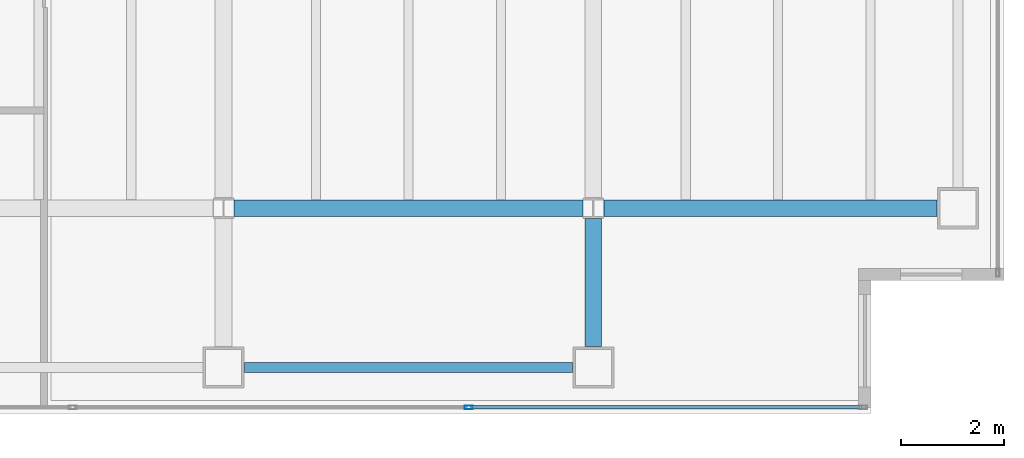
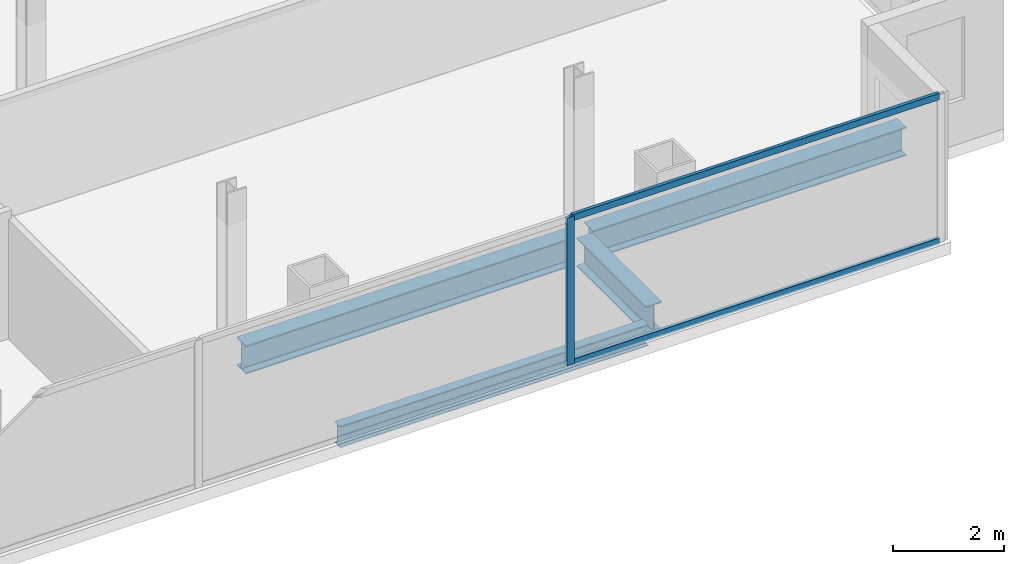
# One storey, part 10 of 23: 4 beams, 3 members, 1 element without a shape of its own.
"""IFC4 building model written with IfcOpenShell, lengths in metres."""

from ifc_helpers import new_model, si_unit, direction, frame, origin, origin_2d, place, context, subcontext, project, spatial, hollow_rectangle, i_section, extrude, material, material_profile, profile_set, type_object, element, aggregate, save


model = new_model("IFC4")

# Units and contexts
model_context = context("Model", 3, precision=1e-05, world=origin(), true_north=direction((0.0, 1.0)))
body_context = subcontext(model_context, "Body", "Model", "MODEL_VIEW")
ifc_project = project(units=[si_unit("LENGTHUNIT", "METRE"), si_unit("AREAUNIT", "SQUARE_METRE"), si_unit("VOLUMEUNIT", "CUBIC_METRE"), si_unit("PLANEANGLEUNIT", "RADIAN"), si_unit("MASSUNIT", "GRAM", prefix="KILO")], contexts=[model_context])

# Site, building, storey
site_placement = place(None, origin())
site = spatial("IfcSite", under=ifc_project, at=site_placement, CompositionType="ELEMENT")
building_placement = place(site_placement, origin())
building = spatial("IfcBuilding", under=site, at=building_placement, Name="Cobrela Telecom Tower", CompositionType="ELEMENT")
storey_placement = place(building_placement, frame((0.0, 0.0, 197.75)))
storey = spatial("IfcBuildingStorey", under=building, at=storey_placement, Name="L50", CompositionType="ELEMENT", Elevation=197.75)

# Beams
ifc_material_1 = material(Name="Steel ASTM A992 Grade 50", Category="steel")
ifc_material_profile_1 = material_profile(ifc_material_1, i_section(OverallWidth=0.327880859375, OverallDepth=0.6220703125, WebThickness=0.015380859375, FlangeThickness=0.0244140625, FilletRadius=0.014892578125, at=origin_2d()), Name="W24X131")
ifc_profile_set_1 = profile_set([ifc_material_profile_1], Name="Steel ASTM A992 Grade 50")
beam_type_1 = type_object("IfcBeamType", Name="BM-GIRD-06", PredefinedType="USERDEFINED", material=ifc_profile_set_1)
beam_1_placement = place(storey_placement, frame((29.00439453125, 7.199951171875, -0.571044921875), z_axis=(1.0, 0.0, 0.0), x_axis=(0.0, 1.0, 0.0)))
element("IfcBeam", 1, at=beam_1_placement, inside=storey, type_object=beam_type_1, Name="L50 Primary Girder X09", ObjectType="GIRDER", PredefinedType="USERDEFINED", context=body_context, shape_type="SweptSolid", body=[
    extrude(i_section(OverallWidth=0.327880859375, OverallDepth=0.6220703125, WebThickness=0.015380859375, FlangeThickness=0.0244140625, FilletRadius=0.014892578125, at=origin_2d()), origin(), (0.0, 0.0, 1.0), 6.791015625),
])
beam_2_placement = place(storey_placement, frame((36.20458984375, 7.199951171875, -0.571044921875), z_axis=(1.0, 0.0, 0.0), x_axis=(0.0, 1.0, 0.0)))
element("IfcBeam", 2, at=beam_2_placement, inside=storey, type_object=beam_type_1, Name="L50 Primary Girder X10", ObjectType="GIRDER", PredefinedType="USERDEFINED", context=body_context, shape_type="SweptSolid", body=[
    extrude(i_section(OverallWidth=0.327880859375, OverallDepth=0.6220703125, WebThickness=0.015380859375, FlangeThickness=0.0244140625, FilletRadius=0.014892578125, at=origin_2d()), origin(), (0.0, 0.0, 1.0), 6.490478515625),
])
beam_3_placement = place(storey_placement, frame((36.0, 4.5048828125, -0.571044921875), z_axis=(0.0, 1.0, 0.0), x_axis=(-1.0, 0.0, 0.0)))
element("IfcBeam", 3, at=beam_3_placement, inside=storey, type_object=beam_type_1, Name="L50 Primary Girder Y39", ObjectType="GIRDER", PredefinedType="USERDEFINED", context=body_context, shape_type="SweptSolid", body=[
    extrude(i_section(OverallWidth=0.327880859375, OverallDepth=0.6220703125, WebThickness=0.015380859375, FlangeThickness=0.0244140625, FilletRadius=0.014892578125, at=origin_2d()), origin(), (0.0, 0.0, 1.0), 2.49072265625),
])
ifc_material_profile_2 = material_profile(ifc_material_1, i_section(OverallWidth=0.193115234375, OverallDepth=0.467041015625, WebThickness=0.011474609375, FlangeThickness=0.01904296875, FilletRadius=0.012939453125, at=origin_2d()), Name="W18X65")
ifc_profile_set_2 = profile_set([ifc_material_profile_2], Name="Steel ASTM A992 Grade 50")
beam_type_2 = type_object("IfcBeamType", Name="BM-SPAND-05", PredefinedType="SPANDREL", material=ifc_profile_set_2)
beam_4_placement = place(storey_placement, frame((29.205078125, 4.10009765625, -0.493408203125), z_axis=(1.0, 0.0, 0.0), x_axis=(0.0, 1.0, 0.0)))
element("IfcBeam", 4, at=beam_4_placement, inside=storey, type_object=beam_type_2, Name="L50 Perimeter Spandrel X04", PredefinedType="SPANDREL", context=body_context, shape_type="SweptSolid", body=[
    extrude(i_section(OverallWidth=0.193115234375, OverallDepth=0.467041015625, WebThickness=0.011474609375, FlangeThickness=0.01904296875, FilletRadius=0.012939453125, at=origin_2d()), origin(), (0.0, 0.0, 1.0), 6.389892578125),
])

# Curtain wall, members
ifc_material_2 = material(Name="Anodized Bronze Aluminium 6063-T6", Category="aluminium")
curtain_wall_type = type_object("IfcCurtainWallType", Name="CW-SYS-OFF-LO", PredefinedType="USERDEFINED", material=ifc_material_2)
curtain_wall_placement = place(storey_placement, origin())
curtain_wall = element("IfcCurtainWall", 5, at=curtain_wall_placement, inside=storey, type_object=curtain_wall_type, Name="L50 Unitised Bronze Curtain Wall 17", ObjectType="UNITISED CURTAIN WALL", PredefinedType="USERDEFINED")
ifc_material_profile_3 = material_profile(ifc_material_2, hollow_rectangle(XDim=0.070068359375, YDim=0.159912109375, WallThickness=0.00390625, at=origin_2d()), Name="ALU 70x160x4")
ifc_profile_set_3 = profile_set([ifc_material_profile_3], Name="Anodized Bronze Aluminium 6063-T6")
member_type_1 = type_object("IfcMemberType", Name="CW-SYS-OFF-LO-MUL", PredefinedType="MULLION", material=ifc_profile_set_3)
member_1_placement = place(storey_placement, frame((33.573974609375, 3.320068359375, 0.0), z_axis=(0.0, 0.0, 1.0), x_axis=(0.0, -1.0, 0.0)))
member_1 = element("IfcMember", 6, at=member_1_placement, type_object=member_type_1, Name="CW-OFF-LO mullion 2", PredefinedType="MULLION", context=body_context, shape_type="SweptSolid", body=[
    extrude(hollow_rectangle(XDim=0.070068359375, YDim=0.159912109375, WallThickness=0.00390625, at=origin_2d()), origin(), (0.0, 0.0, 1.0), 3.239990234375),
])
ifc_material_profile_4 = material_profile(ifc_material_2, hollow_rectangle(XDim=0.070068359375, YDim=0.139892578125, WallThickness=0.00390625, at=origin_2d()), Name="ALU 70x140x4")
ifc_profile_set_4 = profile_set([ifc_material_profile_4], Name="Anodized Bronze Aluminium 6063-T6")
member_type_2 = type_object("IfcMemberType", Name="CW-SYS-OFF-LO-TRN", PredefinedType="USERDEFINED", material=ifc_profile_set_4)
member_2_placement = place(storey_placement, frame((41.219970703125, 3.320068359375, 0.034912109375), z_axis=(-1.0, 0.0, 0.0), x_axis=(0.0, -1.0, 0.0)))
member_2 = element("IfcMember", 7, at=member_2_placement, type_object=member_type_2, Name="CW-OFF-LO transom 1.1", ObjectType="TRANSOM", PredefinedType="USERDEFINED", context=body_context, shape_type="SweptSolid", body=[
    extrude(hollow_rectangle(XDim=0.070068359375, YDim=0.139892578125, WallThickness=0.00390625, at=origin_2d()), origin(), (0.0, 0.0, 1.0), 7.611083984375),
])
member_3_placement = place(storey_placement, frame((41.219970703125, 3.320068359375, 3.205078125), z_axis=(-1.0, 0.0, 0.0), x_axis=(0.0, -1.0, 0.0)))
member_3 = element("IfcMember", 8, at=member_3_placement, type_object=member_type_2, Name="CW-OFF-LO transom 1.2", ObjectType="TRANSOM", PredefinedType="USERDEFINED", context=body_context, shape_type="SweptSolid", body=[
    extrude(hollow_rectangle(XDim=0.070068359375, YDim=0.139892578125, WallThickness=0.00390625, at=origin_2d()), origin(), (0.0, 0.0, 1.0), 7.611083984375),
])
aggregate(curtain_wall, [member_1, member_2, member_3])

save(model, "model.ifc")
